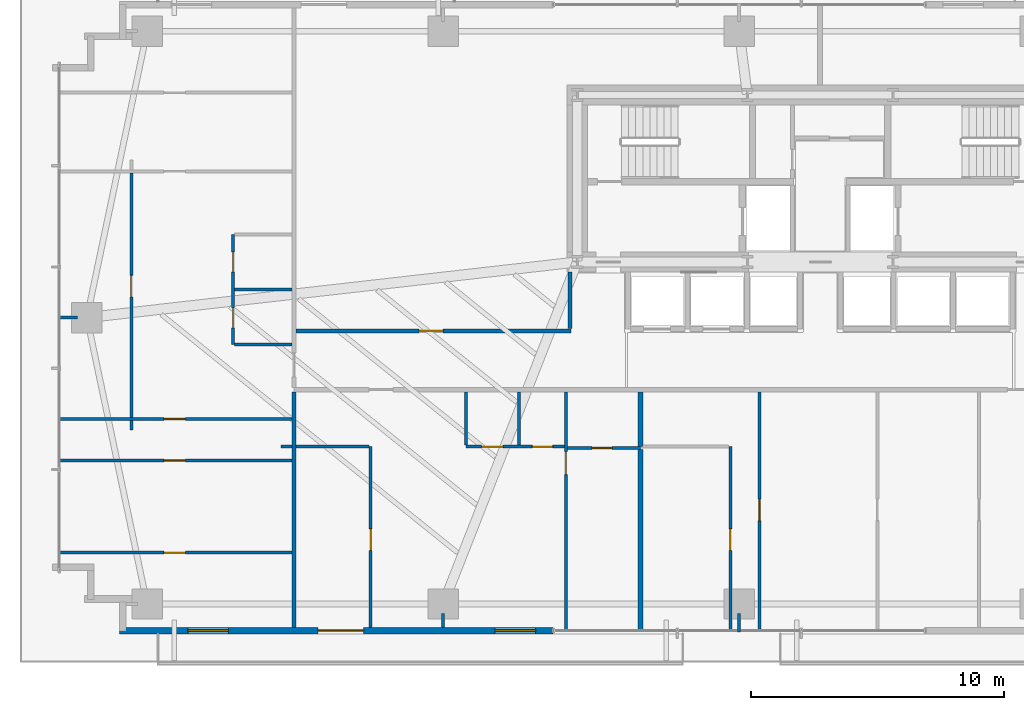
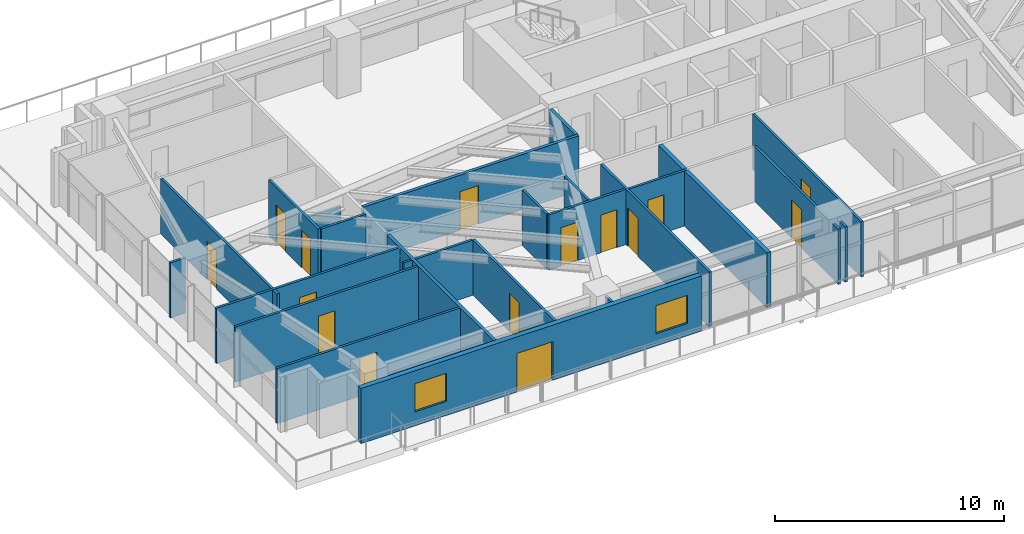
# One storey, part 19 of 26: 27 walls, 15 doors, 2 windows, 17 openings.
"""IFC4 building model written with IfcOpenShell, lengths in metres."""

from ifc_helpers import new_model, si_unit, direction, frame, frame_2d, origin, place, context, subcontext, project, spatial, rectangle, extrude, source, transform, mapped, material, layer, layer_set, type_object, type_shapes, element, fill, save


model = new_model("IFC4")

# Units and contexts
model_context = context("Model", 3, precision=1e-05, world=origin(), true_north=direction((0.0, 1.0)))
body_context = subcontext(model_context, "Body", "Model", "MODEL_VIEW")
ifc_project = project(units=[si_unit("LENGTHUNIT", "METRE"), si_unit("AREAUNIT", "SQUARE_METRE"), si_unit("VOLUMEUNIT", "CUBIC_METRE"), si_unit("PLANEANGLEUNIT", "RADIAN"), si_unit("MASSUNIT", "GRAM", prefix="KILO")], contexts=[model_context])

# Site, building, storey
site_placement = place(None, origin())
site = spatial("IfcSite", under=ifc_project, at=site_placement, CompositionType="ELEMENT")
building_placement = place(site_placement, origin())
building = spatial("IfcBuilding", under=site, at=building_placement, Name="Astriad Promenade Condominiums", CompositionType="ELEMENT")
storey_placement = place(building_placement, frame((0.0, 0.0, 23.0)))
storey = spatial("IfcBuildingStorey", under=building, at=storey_placement, Name="L05", CompositionType="ELEMENT", Elevation=23.0)

# Wall
ifc_material_1 = material(Name="Fire-Rated Gypsum Partition")
ifc_layer_1 = layer(ifc_material_1, 0.159912109375)
ifc_layer_set_1 = layer_set([ifc_layer_1], Name="Fire-Rated Gypsum Partition")
wall_type_1 = type_object("IfcWallType", Name="WALL-CORR-160", PredefinedType="PARTITIONING", material=ifc_layer_set_1)
wall_1_placement = place(storey_placement, frame((15.199951171875, 2.9619140625, 0.0), z_axis=(0.0, 0.0, 1.0), x_axis=(0.0, 1.0, 0.0)))
element("IfcWall", 1, at=wall_1_placement, inside=storey, type_object=wall_type_1, Name="PT-COR-W-L05", PredefinedType="PARTITIONING", context=body_context, shape_type="SweptSolid", body=[
    extrude(rectangle(XDim=9.30615234375, YDim=0.159912109375, at=frame_2d((4.653076171875, 0.0))), origin(), (0.0, 0.0, 1.0), 2.93994140625),
])

# Wall, opening, door
wall_2_placement = place(storey_placement, frame((15.281982421875, 14.679931640625, 0.0), z_axis=(0.0, 0.0, 1.0), x_axis=(1.0, 0.0, 0.0)))
wall_2 = element("IfcWall", 2, at=wall_2_placement, inside=storey, type_object=wall_type_1, Name="PT-FLK-NW-L05", PredefinedType="PARTITIONING", context=body_context, shape_type="SweptSolid", body=[
    extrude(rectangle(XDim=10.8779296875, YDim=0.159912109375, at=frame_2d((5.43896484375, 0.0))), origin(), (0.0, 0.0, 1.0), 2.93994140625),
])
opening_1_placement = place(wall_2_placement, frame((4.863037109375, 0.0, 0.0)))
opening_1 = element("IfcOpeningElement", 3, at=opening_1_placement, cuts=wall_2, Name="Opening FD60-APT-095", PredefinedType="OPENING", context=body_context, shape_type="SweptSolid", body=[
    extrude(rectangle(XDim=0.949951171875, YDim=2.06005859375, at=frame_2d((0.47509765625, 1.030029296875))), frame((0.0, 0.08984375, 0.0), z_axis=(0.0, -1.0, 0.0), x_axis=(1.0, 0.0, 0.0)), (0.0, 0.0, 1.0), 0.179931640625),
])
ifc_material_2 = material(Name="Solid-Core Acoustic Timber Residence Entry Door", Category="wood")
door_type_1 = type_object("IfcDoorType", Name="FD60-APT-095", OperationType="NOTDEFINED", PredefinedType="DOOR", material=ifc_material_2)
shared_shape_1 = source(origin(), body_context, "Body", "SweptSolid", [
    extrude(rectangle(XDim=0.949951171875, YDim=2.06005859375, at=frame_2d((0.47509765625, 1.030029296875))), frame((0.0, 0.02490234375, 0.0), z_axis=(0.0, -1.0, 0.0), x_axis=(1.0, 0.0, 0.0)), (0.0, 0.0, 1.0), 0.050048828125),
])
type_shapes(door_type_1, [shared_shape_1])
door_1_placement = place(opening_1_placement, origin())
door_1 = element("IfcDoor", 4, at=door_1_placement, inside=storey, type_object=door_type_1, Name="D-NWA-L05", OperationType="SINGLE_SWING_LEFT", OverallHeight=2.06005859375, OverallWidth=0.949951171875, PredefinedType="DOOR", context=body_context, shape_type="MappedRepresentation", body=[
    mapped(shared_shape_1, transform((0.0, 0.0, 0.0), scale=1.0)),
])
fill(opening_1, door_1)

# Walls
wall_3_placement = place(storey_placement, frame((26.1201171875, 14.761962890625, 0.0), z_axis=(0.0, 0.0, 1.0), x_axis=(0.0, 1.0, 0.0)))
element("IfcWall", 5, at=wall_3_placement, inside=storey, type_object=wall_type_1, Name="PT-WSPUR-W-L05", PredefinedType="PARTITIONING", context=body_context, shape_type="SweptSolid", body=[
    extrude(rectangle(XDim=2.236083984375, YDim=0.159912109375, at=frame_2d((1.1181640625, 0.0))), origin(), (0.0, 0.0, 1.0), 2.93994140625),
])
ifc_material_3 = material(Name="Acoustic Double-Stud Gypsum Partition")
ifc_layer_2 = layer(ifc_material_3, 0.199951171875)
ifc_layer_set_2 = layer_set([ifc_layer_2], Name="Acoustic Double-Stud Gypsum Partition")
wall_type_2 = type_object("IfcWallType", Name="WALL-DEMISING-200", PredefinedType="PARTITIONING", material=ifc_layer_set_2)
wall_4_placement = place(storey_placement, frame((28.89794921875, 2.780029296875, 0.0), z_axis=(0.0, 0.0, 1.0), x_axis=(0.0, 1.0, 0.0)))
element("IfcWall", 6, at=wall_4_placement, inside=storey, type_object=wall_type_2, Name="PT-DEM-S1-L05", PredefinedType="PARTITIONING", context=body_context, shape_type="SweptSolid", body=[
    extrude(rectangle(XDim=7.2080078125, YDim=0.199951171875, at=frame_2d((3.60400390625, 0.0))), origin(), (0.0, 0.0, 1.0), 2.93994140625),
])
wall_5_placement = place(storey_placement, frame((28.89794921875, 10.112060546875, 0.0), z_axis=(0.0, 0.0, 1.0), x_axis=(0.0, 1.0, 0.0)))
element("IfcWall", 7, at=wall_5_placement, inside=storey, type_object=wall_type_2, Name="PT-DEM-S1-L05-S2", PredefinedType="PARTITIONING", context=body_context, shape_type="SweptSolid", body=[
    extrude(rectangle(XDim=2.156005859375, YDim=0.199951171875, at=frame_2d((1.078125, 0.0))), origin(), (0.0, 0.0, 1.0), 2.93994140625),
])

# Wall, openings, door, windows
ifc_material_4 = material(Name="Precast concrete C50/60", Category="concrete")
ifc_layer_3 = layer(ifc_material_4, 0.260009765625)
ifc_layer_set_3 = layer_set([ifc_layer_3], Name="Precast concrete C50/60")
wall_type_3 = type_object("IfcWallType", Name="WALL-EXT-TWR-260", PredefinedType="STANDARD", material=ifc_layer_set_3)
wall_6_placement = place(storey_placement, frame((25.449951171875, 2.830078125, 0.0), z_axis=(0.0, 0.0, 1.0), x_axis=(-1.0, 0.0, 0.0)))
wall_6 = element("IfcWall", 8, at=wall_6_placement, inside=storey, type_object=wall_type_3, Name="W-EXT-L05-S2", PredefinedType="STANDARD", context=body_context, shape_type="SweptSolid", body=[
    extrude(rectangle(XDim=17.14990234375, YDim=0.260009765625, at=frame_2d((8.574951171875, 0.0))), origin(), (0.0, 0.0, 1.0), 2.93994140625),
])
opening_2_placement = place(wall_6_placement, frame((7.489990234375, 0.0, 0.0)))
opening_2 = element("IfcOpeningElement", 9, at=opening_2_placement, cuts=wall_6, Name="Opening BD-1822-SLD", PredefinedType="OPENING", context=body_context, shape_type="SweptSolid", body=[
    extrude(rectangle(XDim=1.800048828125, YDim=2.06005859375, at=frame_2d((0.89990234375, 1.030029296875))), frame((0.0, 0.139892578125, 0.0), z_axis=(0.0, -1.0, 0.0), x_axis=(1.0, 0.0, 0.0)), (0.0, 0.0, 1.0), 0.280029296875),
])
opening_3_placement = place(wall_6_placement, frame((0.699951171875, 0.0, 0.64990234375)))
opening_3 = element("IfcOpeningElement", 10, at=opening_3_placement, cuts=wall_6, Name="Opening WIN-TWR-1620", PredefinedType="OPENING", context=body_context, shape_type="SweptSolid", body=[
    extrude(rectangle(XDim=1.60009765625, YDim=1.5, at=frame_2d((0.800048828125, 0.75))), frame((0.0, 0.139892578125, 0.0), z_axis=(0.0, -1.0, 0.0), x_axis=(1.0, 0.0, 0.0)), (0.0, 0.0, 1.0), 0.280029296875),
])
opening_4_placement = place(wall_6_placement, frame((12.840087890625, 0.0, 0.75)))
opening_4 = element("IfcOpeningElement", 11, at=opening_4_placement, cuts=wall_6, Name="Opening WIN-TWR-1620", PredefinedType="OPENING", context=body_context, shape_type="SweptSolid", body=[
    extrude(rectangle(XDim=1.60009765625, YDim=1.5, at=frame_2d((0.800048828125, 0.75))), frame((0.0, 0.139892578125, 0.0), z_axis=(0.0, -1.0, 0.0), x_axis=(1.0, 0.0, 0.0)), (0.0, 0.0, 1.0), 0.280029296875),
])
ifc_material_5 = material(Name="Thermally Broken Aluminium Sliding Balcony Door", Category="aluminium")
door_type_2 = type_object("IfcDoorType", Name="BD-1822-SLD", OperationType="NOTDEFINED", PredefinedType="DOOR", material=ifc_material_5)
shared_shape_2 = source(origin(), body_context, "Body", "SweptSolid", [
    extrude(rectangle(XDim=1.800048828125, YDim=2.06005859375, at=frame_2d((0.89990234375, 1.030029296875))), frame((0.0, 0.02490234375, 0.0), z_axis=(0.0, -1.0, 0.0), x_axis=(1.0, 0.0, 0.0)), (0.0, 0.0, 1.0), 0.050048828125),
])
type_shapes(door_type_2, [shared_shape_2])
door_2_placement = place(opening_2_placement, origin())
door_2 = element("IfcDoor", 12, at=door_2_placement, inside=storey, type_object=door_type_2, Name="BD-L05-SW", OperationType="SLIDING_TO_LEFT", OverallHeight=2.06005859375, OverallWidth=1.800048828125, PredefinedType="DOOR", context=body_context, shape_type="MappedRepresentation", body=[
    mapped(shared_shape_2, transform((0.0, 0.0, 0.0), scale=1.0)),
])
fill(opening_2, door_2)
ifc_material_6 = material(Name="Dark Tinted Triple-Glazed Aluminium Window", Category="aluminium")
window_type = type_object("IfcWindowType", Name="WIN-TWR-1620", PartitioningType="SINGLE_PANEL", PredefinedType="WINDOW", material=ifc_material_6)
shared_shape_3 = source(origin(), body_context, "Body", "SweptSolid", [
    extrude(rectangle(XDim=1.60009765625, YDim=1.5, at=frame_2d((0.800048828125, 0.75))), frame((0.0, 0.030029296875, 0.0), z_axis=(0.0, -1.0, 0.0), x_axis=(1.0, 0.0, 0.0)), (0.0, 0.0, 1.0), 0.06005859375),
])
type_shapes(window_type, [shared_shape_3])
window_1_placement = place(opening_3_placement, origin())
window_1 = element("IfcWindow", 13, at=window_1_placement, inside=storey, type_object=window_type, Name="WIN-L05-SW", OverallHeight=1.5, OverallWidth=1.60009765625, PartitioningType="SINGLE_PANEL", PredefinedType="WINDOW", context=body_context, shape_type="MappedRepresentation", body=[
    mapped(shared_shape_3, transform((0.0, 0.0, 0.0), scale=1.0)),
])
fill(opening_3, window_1)
window_2_placement = place(opening_4_placement, origin())
window_2 = element("IfcWindow", 14, at=window_2_placement, inside=storey, type_object=window_type, Name="WIN-DW-L05-W1-BD2", OverallHeight=1.5, OverallWidth=1.60009765625, PartitioningType="SINGLE_PANEL", PredefinedType="WINDOW", context=body_context, shape_type="MappedRepresentation", body=[
    mapped(shared_shape_3, transform((0.0, 0.0, 0.0), scale=1.0)),
])
fill(opening_4, window_2)

# Wall, opening, door
ifc_material_7 = material(Name="Acoustic Metal-Stud Gypsum Partition")
ifc_layer_4 = layer(ifc_material_7, 0.1201171875)
ifc_layer_set_4 = layer_set([ifc_layer_4], Name="Acoustic Metal-Stud Gypsum Partition")
wall_type_4 = type_object("IfcWallType", Name="WALL-PART-120", PredefinedType="PARTITIONING", material=ifc_layer_set_4)
wall_7_placement = place(storey_placement, frame((25.947998046875, 2.780029296875, 0.0), z_axis=(0.0, 0.0, 1.0), x_axis=(0.0, 1.0, 0.0)))
wall_7 = element("IfcWall", 15, at=wall_7_placement, inside=storey, type_object=wall_type_4, Name="PT-L05-S1-BD1", PredefinedType="PARTITIONING", context=body_context, shape_type="SweptSolid", body=[
    extrude(rectangle(XDim=9.488037109375, YDim=0.1201171875, at=frame_2d((4.744140625, 0.0))), origin(), (0.0, 0.0, 1.0), 2.93994140625),
])
opening_5_placement = place(wall_7_placement, frame((6.219970703125, 0.0, 0.0)))
opening_5 = element("IfcOpeningElement", 16, at=opening_5_placement, cuts=wall_7, Name="Opening D-INT-090", PredefinedType="OPENING", context=body_context, shape_type="SweptSolid", body=[
    extrude(rectangle(XDim=0.89990234375, YDim=2.050048828125, at=frame_2d((0.449951171875, 1.02490234375))), frame((0.0, 0.070068359375, 0.0), z_axis=(0.0, -1.0, 0.0), x_axis=(1.0, 0.0, 0.0)), (0.0, 0.0, 1.0), 0.14013671875),
])
ifc_material_8 = material(Name="Painted Solid-Core Timber Bedroom Door", Category="wood")
door_type_3 = type_object("IfcDoorType", Name="D-INT-090", OperationType="NOTDEFINED", PredefinedType="DOOR", material=ifc_material_8)
shared_shape_4 = source(origin(), body_context, "Body", "SweptSolid", [
    extrude(rectangle(XDim=0.89990234375, YDim=2.050048828125, at=frame_2d((0.449951171875, 1.02490234375))), frame((0.0, 0.02490234375, 0.0), z_axis=(0.0, -1.0, 0.0), x_axis=(1.0, 0.0, 0.0)), (0.0, 0.0, 1.0), 0.050048828125),
])
type_shapes(door_type_3, [shared_shape_4])
door_3_placement = place(opening_5_placement, origin())
door_3 = element("IfcDoor", 17, at=door_3_placement, inside=storey, type_object=door_type_3, Name="D-BD1-L05-S1", OperationType="SINGLE_SWING_RIGHT", OverallHeight=2.050048828125, OverallWidth=0.89990234375, PredefinedType="DOOR", context=body_context, shape_type="MappedRepresentation", body=[
    mapped(shared_shape_4, transform((0.0, 0.0, 0.0), scale=1.0)),
])
fill(opening_5, door_3)

# Wall, openings, doors
wall_8_placement = place(storey_placement, frame((21.998046875, 10.10009765625, 0.0), z_axis=(0.0, 0.0, 1.0), x_axis=(1.0, 0.0, 0.0)))
wall_8 = element("IfcWall", 18, at=wall_8_placement, inside=storey, type_object=wall_type_4, Name="PT-L05-S1-PS", PredefinedType="PARTITIONING", context=body_context, shape_type="SweptSolid", body=[
    extrude(rectangle(XDim=3.887939453125, YDim=0.1201171875, at=frame_2d((1.94384765625, 0.0))), origin(), (0.0, 0.0, 1.0), 2.93994140625),
])
opening_6_placement = place(wall_8_placement, frame((0.625, 0.0, 0.0)))
opening_6 = element("IfcOpeningElement", 19, at=opening_6_placement, cuts=wall_8, Name="Opening D-INT-085", PredefinedType="OPENING", context=body_context, shape_type="SweptSolid", body=[
    extrude(rectangle(XDim=0.85009765625, YDim=2.050048828125, at=frame_2d((0.425048828125, 1.02490234375))), frame((0.0, 0.070068359375, 0.0), z_axis=(0.0, -1.0, 0.0), x_axis=(1.0, 0.0, 0.0)), (0.0, 0.0, 1.0), 0.14013671875),
])
opening_7_placement = place(wall_8_placement, frame((2.625, 0.0, 0.0)))
opening_7 = element("IfcOpeningElement", 20, at=opening_7_placement, cuts=wall_8, Name="Opening D-WET-080", PredefinedType="OPENING", context=body_context, shape_type="SweptSolid", body=[
    extrude(rectangle(XDim=0.800048828125, YDim=2.02001953125, at=frame_2d((0.39990234375, 1.010009765625))), frame((0.0, 0.070068359375, 0.0), z_axis=(0.0, -1.0, 0.0), x_axis=(1.0, 0.0, 0.0)), (0.0, 0.0, 1.0), 0.14013671875),
])
ifc_material_9 = material(Name="Moisture-Resistant Timber Bathroom Door", Category="wood")
door_type_4 = type_object("IfcDoorType", Name="D-WET-080", OperationType="NOTDEFINED", PredefinedType="DOOR", material=ifc_material_9)
shared_shape_5 = source(origin(), body_context, "Body", "SweptSolid", [
    extrude(rectangle(XDim=0.800048828125, YDim=2.02001953125, at=frame_2d((0.39990234375, 1.010009765625))), frame((0.0, 0.02490234375, 0.0), z_axis=(0.0, -1.0, 0.0), x_axis=(1.0, 0.0, 0.0)), (0.0, 0.0, 1.0), 0.050048828125),
])
type_shapes(door_type_4, [shared_shape_5])
door_4_placement = place(opening_7_placement, origin())
door_4 = element("IfcDoor", 21, at=door_4_placement, inside=storey, type_object=door_type_4, Name="D-BTH-L05-S1", OperationType="SINGLE_SWING_RIGHT", OverallHeight=2.02001953125, OverallWidth=0.800048828125, PredefinedType="DOOR", context=body_context, shape_type="MappedRepresentation", body=[
    mapped(shared_shape_5, transform((0.0, 0.0, 0.0), scale=1.0)),
])
fill(opening_7, door_4)
ifc_material_10 = material(Name="Painted Solid-Core Timber Room Door", Category="wood")
door_type_5 = type_object("IfcDoorType", Name="D-INT-085", OperationType="NOTDEFINED", PredefinedType="DOOR", material=ifc_material_10)
shared_shape_6 = source(origin(), body_context, "Body", "SweptSolid", [
    extrude(rectangle(XDim=0.85009765625, YDim=2.050048828125, at=frame_2d((0.425048828125, 1.02490234375))), frame((0.0, 0.02490234375, 0.0), z_axis=(0.0, -1.0, 0.0), x_axis=(1.0, 0.0, 0.0)), (0.0, 0.0, 1.0), 0.050048828125),
])
type_shapes(door_type_5, [shared_shape_6])
door_5_placement = place(opening_6_placement, origin())
door_5 = element("IfcDoor", 22, at=door_5_placement, inside=storey, type_object=door_type_5, Name="D-KIT-L05-S1", OperationType="SINGLE_SWING_LEFT", OverallHeight=2.050048828125, OverallWidth=0.85009765625, PredefinedType="DOOR", context=body_context, shape_type="MappedRepresentation", body=[
    mapped(shared_shape_6, transform((0.0, 0.0, 0.0), scale=1.0)),
])
fill(opening_6, door_5)

# Walls
for number, where, z_axis, x_axis, name in (
    (23, (24.097900390625, 10.162109375, 0.0), (0.0, 0.0, 1.0), (0.0, 1.0, 0.0), "PT-L05-S1-PBK"),
    (24, (21.998046875, 10.162109375, 0.0), (0.0, 0.0, 1.0), (0.0, 1.0, 0.0), "PT-L05-S1-PKW"),
):
    element("IfcWall", number, at=place(storey_placement, frame(where, z_axis=z_axis, x_axis=x_axis)), inside=storey, type_object=wall_type_4, Name=name, PredefinedType="PARTITIONING", context=body_context, shape_type="SweptSolid", body=[
        extrude(rectangle(XDim=2.10595703125, YDim=0.1201171875, at=frame_2d((1.052978515625, 0.0))), origin(), (0.0, 0.0, 1.0), 2.93994140625),
    ])

# Wall, opening, door
wall_9_placement = place(storey_placement, frame((26.010009765625, 10.050048828125, 0.0), z_axis=(0.0, 0.0, 1.0), x_axis=(1.0, 0.0, 0.0)))
wall_9 = element("IfcWall", 25, at=wall_9_placement, inside=storey, type_object=wall_type_4, Name="PT-L05-S1-ENS", PredefinedType="PARTITIONING", context=body_context, shape_type="SweptSolid", body=[
    extrude(rectangle(XDim=2.887939453125, YDim=0.1201171875, at=frame_2d((1.44384765625, 0.0))), origin(), (0.0, 0.0, 1.0), 2.93994140625),
])
opening_8_placement = place(wall_9_placement, frame((0.962890625, 0.0, 0.0)))
opening_8 = element("IfcOpeningElement", 26, at=opening_8_placement, cuts=wall_9, Name="Opening D-WET-080", PredefinedType="OPENING", context=body_context, shape_type="SweptSolid", body=[
    extrude(rectangle(XDim=0.800048828125, YDim=2.02001953125, at=frame_2d((0.39990234375, 1.010009765625))), frame((0.0, 0.070068359375, 0.0), z_axis=(0.0, -1.0, 0.0), x_axis=(1.0, 0.0, 0.0)), (0.0, 0.0, 1.0), 0.14013671875),
])
door_6_placement = place(opening_8_placement, origin())
door_6 = element("IfcDoor", 27, at=door_6_placement, inside=storey, type_object=door_type_4, Name="D-ENS-L05-S1", OperationType="SINGLE_SWING_LEFT", OverallHeight=2.02001953125, OverallWidth=0.800048828125, PredefinedType="DOOR", context=body_context, shape_type="MappedRepresentation", body=[
    mapped(shared_shape_5, transform((0.0, 0.0, 0.0), scale=1.0)),
])
fill(opening_8, door_6)

wall_10_placement = place(storey_placement, frame((18.236083984375, 2.9619140625, 0.0), z_axis=(0.0, 0.0, 1.0), x_axis=(0.0, 1.0, 0.0)))
wall_10 = element("IfcWall", 28, at=wall_10_placement, inside=storey, type_object=wall_type_4, Name="PT-L05-S1-EXV", PredefinedType="PARTITIONING", context=body_context, shape_type="SweptSolid", body=[
    extrude(rectangle(XDim=7.13818359375, YDim=0.1201171875, at=frame_2d((3.569091796875, 0.0))), origin(), (0.0, 0.0, 1.0), 2.93994140625),
])
opening_9_placement = place(wall_10_placement, frame((3.04296875, 0.0, 0.0)))
opening_9 = element("IfcOpeningElement", 29, at=opening_9_placement, cuts=wall_10, Name="Opening D-INT-085", PredefinedType="OPENING", context=body_context, shape_type="SweptSolid", body=[
    extrude(rectangle(XDim=0.85009765625, YDim=2.050048828125, at=frame_2d((0.425048828125, 1.02490234375))), frame((0.0, 0.070068359375, 0.0), z_axis=(0.0, -1.0, 0.0), x_axis=(1.0, 0.0, 0.0)), (0.0, 0.0, 1.0), 0.14013671875),
])
door_7_placement = place(opening_9_placement, origin())
door_7 = element("IfcDoor", 30, at=door_7_placement, inside=storey, type_object=door_type_5, Name="D-EX-L05-S1", OperationType="SINGLE_SWING_RIGHT", OverallHeight=2.050048828125, OverallWidth=0.85009765625, PredefinedType="DOOR", context=body_context, shape_type="MappedRepresentation", body=[
    mapped(shared_shape_6, transform((0.0, 0.0, 0.0), scale=1.0)),
])
fill(opening_9, door_7)

# Walls
wall_11_placement = place(storey_placement, frame((14.699951171875, 10.10009765625, 0.0), z_axis=(0.0, 0.0, 1.0), x_axis=(1.0, 0.0, 0.0)))
element("IfcWall", 31, at=wall_11_placement, inside=storey, type_object=wall_type_4, Name="PT-L05-S1-EXH", PredefinedType="PARTITIONING", context=body_context, shape_type="SweptSolid", body=[
    extrude(rectangle(XDim=0.41796875, YDim=0.1201171875, at=frame_2d((0.208984375, 0.0))), origin(), (0.0, 0.0, 1.0), 2.93994140625),
])
wall_12_placement = place(storey_placement, frame((15.281982421875, 10.10009765625, 0.0), z_axis=(0.0, 0.0, 1.0), x_axis=(1.0, 0.0, 0.0)))
element("IfcWall", 32, at=wall_12_placement, inside=storey, type_object=wall_type_4, Name="PT-L05-S1-EXH-S2", PredefinedType="PARTITIONING", context=body_context, shape_type="SweptSolid", body=[
    extrude(rectangle(XDim=2.89208984375, YDim=0.1201171875, at=frame_2d((1.446044921875, 0.0))), origin(), (0.0, 0.0, 1.0), 2.93994140625),
])

# Wall, opening, door
wall_13_placement = place(storey_placement, frame((32.447998046875, 2.780029296875, 0.0), z_axis=(0.0, 0.0, 1.0), x_axis=(0.0, 1.0, 0.0)))
wall_13 = element("IfcWall", 33, at=wall_13_placement, inside=storey, type_object=wall_type_4, Name="PT-L05-S2-EXV", PredefinedType="PARTITIONING", context=body_context, shape_type="SweptSolid", body=[
    extrude(rectangle(XDim=7.320068359375, YDim=0.1201171875, at=frame_2d((3.66015625, 0.0))), origin(), (0.0, 0.0, 1.0), 2.93994140625),
])
opening_10_placement = place(wall_13_placement, frame((3.22509765625, 0.0, 0.0)))
opening_10 = element("IfcOpeningElement", 34, at=opening_10_placement, cuts=wall_13, Name="Opening D-INT-085", PredefinedType="OPENING", context=body_context, shape_type="SweptSolid", body=[
    extrude(rectangle(XDim=0.85009765625, YDim=2.050048828125, at=frame_2d((0.425048828125, 1.02490234375))), frame((0.0, 0.070068359375, 0.0), z_axis=(0.0, -1.0, 0.0), x_axis=(1.0, 0.0, 0.0)), (0.0, 0.0, 1.0), 0.14013671875),
])
door_8_placement = place(opening_10_placement, origin())
door_8 = element("IfcDoor", 35, at=door_8_placement, inside=storey, type_object=door_type_5, Name="D-EX-L05-S2", OperationType="SINGLE_SWING_LEFT", OverallHeight=2.050048828125, OverallWidth=0.85009765625, PredefinedType="DOOR", context=body_context, shape_type="MappedRepresentation", body=[
    mapped(shared_shape_6, transform((0.0, 0.0, 0.0), scale=1.0)),
])
fill(opening_10, door_8)

wall_14_placement = place(storey_placement, frame((33.597900390625, 2.780029296875, 0.0), z_axis=(0.0, 0.0, 1.0), x_axis=(0.0, 1.0, 0.0)))
wall_14 = element("IfcWall", 36, at=wall_14_placement, inside=storey, type_object=wall_type_4, Name="PT-L05-S2-CAP1", PredefinedType="PARTITIONING", context=body_context, shape_type="SweptSolid", body=[
    extrude(rectangle(XDim=9.488037109375, YDim=0.1201171875, at=frame_2d((4.744140625, 0.0))), origin(), (0.0, 0.0, 1.0), 2.93994140625),
])
opening_11_placement = place(wall_14_placement, frame((4.39990234375, 0.0, 0.0)))
opening_11 = element("IfcOpeningElement", 37, at=opening_11_placement, cuts=wall_14, Name="Opening D-INT-085", PredefinedType="OPENING", context=body_context, shape_type="SweptSolid", body=[
    extrude(rectangle(XDim=0.85009765625, YDim=2.050048828125, at=frame_2d((0.425048828125, 1.02490234375))), frame((0.0, 0.070068359375, 0.0), z_axis=(0.0, -1.0, 0.0), x_axis=(1.0, 0.0, 0.0)), (0.0, 0.0, 1.0), 0.14013671875),
])
door_9_placement = place(opening_11_placement, origin())
door_9 = element("IfcDoor", 38, at=door_9_placement, inside=storey, type_object=door_type_5, Name="D-CAP1-L05-S2", OperationType="SINGLE_SWING_RIGHT", OverallHeight=2.050048828125, OverallWidth=0.85009765625, PredefinedType="DOOR", context=body_context, shape_type="MappedRepresentation", body=[
    mapped(shared_shape_6, transform((0.0, 0.0, 0.0), scale=1.0)),
])
fill(opening_11, door_9)

# Wall, openings, doors
wall_15_placement = place(storey_placement, frame((12.800048828125, 14.135986328125, 0.0), z_axis=(0.0, 0.0, 1.0), x_axis=(0.0, 1.0, 0.0)))
wall_15 = element("IfcWall", 39, at=wall_15_placement, inside=storey, type_object=wall_type_4, Name="PT-L05-W1-PV", PredefinedType="PARTITIONING", context=body_context, shape_type="SweptSolid", body=[
    extrude(rectangle(XDim=4.35009765625, YDim=0.1201171875, at=frame_2d((2.175048828125, 0.0))), origin(), (0.0, 0.0, 1.0), 2.93994140625),
])
opening_12_placement = place(wall_15_placement, frame((0.662109375, 0.0, 0.0)))
opening_12 = element("IfcOpeningElement", 40, at=opening_12_placement, cuts=wall_15, Name="Opening D-ULOW-080", PredefinedType="OPENING", context=body_context, shape_type="SweptSolid", body=[
    extrude(rectangle(XDim=0.800048828125, YDim=2.0, at=frame_2d((0.39990234375, 1.0))), frame((0.0, 0.070068359375, 0.0), z_axis=(0.0, -1.0, 0.0), x_axis=(1.0, 0.0, 0.0)), (0.0, 0.0, 1.0), 0.14013671875),
])
opening_13_placement = place(wall_15_placement, frame((2.862060546875, 0.0, 0.0)))
opening_13 = element("IfcOpeningElement", 41, at=opening_13_placement, cuts=wall_15, Name="Opening D-WET-080", PredefinedType="OPENING", context=body_context, shape_type="SweptSolid", body=[
    extrude(rectangle(XDim=0.800048828125, YDim=2.02001953125, at=frame_2d((0.39990234375, 1.010009765625))), frame((0.0, 0.070068359375, 0.0), z_axis=(0.0, -1.0, 0.0), x_axis=(1.0, 0.0, 0.0)), (0.0, 0.0, 1.0), 0.14013671875),
])
door_10_placement = place(opening_13_placement, origin())
door_10 = element("IfcDoor", 42, at=door_10_placement, inside=storey, type_object=door_type_4, Name="D-BTH-L05-W1", OperationType="SINGLE_SWING_LEFT", OverallHeight=2.02001953125, OverallWidth=0.800048828125, PredefinedType="DOOR", context=body_context, shape_type="MappedRepresentation", body=[
    mapped(shared_shape_5, transform((0.0, 0.0, 0.0), scale=1.0)),
])
fill(opening_13, door_10)
ifc_material_11 = material(Name="Painted Timber Low-Headroom Door", Category="wood")
door_type_6 = type_object("IfcDoorType", Name="D-ULOW-080", OperationType="NOTDEFINED", PredefinedType="DOOR", material=ifc_material_11)
shared_shape_7 = source(origin(), body_context, "Body", "SweptSolid", [
    extrude(rectangle(XDim=0.800048828125, YDim=2.0, at=frame_2d((0.39990234375, 1.0))), frame((0.0, 0.02490234375, 0.0), z_axis=(0.0, -1.0, 0.0), x_axis=(1.0, 0.0, 0.0)), (0.0, 0.0, 1.0), 0.050048828125),
])
type_shapes(door_type_6, [shared_shape_7])
door_11_placement = place(opening_12_placement, origin())
door_11 = element("IfcDoor", 43, at=door_11_placement, inside=storey, type_object=door_type_6, Name="D-KIT-L05-W1", OperationType="SINGLE_SWING_RIGHT", OverallHeight=2.0, OverallWidth=0.800048828125, PredefinedType="DOOR", context=body_context, shape_type="MappedRepresentation", body=[
    mapped(shared_shape_7, transform((0.0, 0.0, 0.0), scale=1.0)),
])
fill(opening_12, door_11)

# Walls
wall_16_placement = place(storey_placement, frame((12.862060546875, 16.31103515625, 0.0), z_axis=(0.0, 0.0, 1.0), x_axis=(1.0, 0.0, 0.0)))
element("IfcWall", 44, at=wall_16_placement, inside=storey, type_object=wall_type_4, Name="PT-L05-W1-PM", PredefinedType="PARTITIONING", context=body_context, shape_type="SweptSolid", body=[
    extrude(rectangle(XDim=2.255859375, YDim=0.1201171875, at=frame_2d((1.1279296875, 0.0))), origin(), (0.0, 0.0, 1.0), 2.044921875),
])
wall_17_placement = place(storey_placement, frame((12.862060546875, 14.135986328125, 0.0), z_axis=(0.0, 0.0, 1.0), x_axis=(1.0, 0.0, 0.0)))
element("IfcWall", 45, at=wall_17_placement, inside=storey, type_object=wall_type_4, Name="PT-L05-W1-PS", PredefinedType="PARTITIONING", context=body_context, shape_type="SweptSolid", body=[
    extrude(rectangle(XDim=2.255859375, YDim=0.1201171875, at=frame_2d((1.1279296875, 0.0))), origin(), (0.0, 0.0, 1.0), 2.93994140625),
])

# Wall, opening, door
wall_18_placement = place(storey_placement, frame((5.8798828125, 5.909912109375, 0.0), z_axis=(0.0, 0.0, 1.0), x_axis=(1.0, 0.0, 0.0)))
wall_18 = element("IfcWall", 46, at=wall_18_placement, inside=storey, type_object=wall_type_4, Name="PT-L05-W1-B2", PredefinedType="PARTITIONING", context=body_context, shape_type="SweptSolid", body=[
    extrude(rectangle(XDim=9.238037109375, YDim=0.1201171875, at=frame_2d((4.619140625, 0.0))), origin(), (0.0, 0.0, 1.0), 2.93994140625),
])
opening_14_placement = place(wall_18_placement, frame((4.18505859375, 0.0, 0.0)))
opening_14 = element("IfcOpeningElement", 47, at=opening_14_placement, cuts=wall_18, Name="Opening D-INT-085", PredefinedType="OPENING", context=body_context, shape_type="SweptSolid", body=[
    extrude(rectangle(XDim=0.85009765625, YDim=2.050048828125, at=frame_2d((0.425048828125, 1.02490234375))), frame((0.0, 0.070068359375, 0.0), z_axis=(0.0, -1.0, 0.0), x_axis=(1.0, 0.0, 0.0)), (0.0, 0.0, 1.0), 0.14013671875),
])
door_12_placement = place(opening_14_placement, origin())
door_12 = element("IfcDoor", 48, at=door_12_placement, inside=storey, type_object=door_type_5, Name="D-BD2-L05-W1", OperationType="SINGLE_SWING_LEFT", OverallHeight=2.050048828125, OverallWidth=0.85009765625, PredefinedType="DOOR", context=body_context, shape_type="MappedRepresentation", body=[
    mapped(shared_shape_6, transform((0.0, 0.0, 0.0), scale=1.0)),
])
fill(opening_14, door_12)

wall_19_placement = place(storey_placement, frame((5.8798828125, 9.553955078125, 0.0), z_axis=(0.0, 0.0, 1.0), x_axis=(1.0, 0.0, 0.0)))
wall_19 = element("IfcWall", 49, at=wall_19_placement, inside=storey, type_object=wall_type_4, Name="PT-L05-W1-WDS1", PredefinedType="PARTITIONING", context=body_context, shape_type="SweptSolid", body=[
    extrude(rectangle(XDim=9.238037109375, YDim=0.1201171875, at=frame_2d((4.619140625, 0.0))), origin(), (0.0, 0.0, 1.0), 2.93994140625),
])
opening_15_placement = place(wall_19_placement, frame((4.18505859375, 0.0, 0.0)))
opening_15 = element("IfcOpeningElement", 50, at=opening_15_placement, cuts=wall_19, Name="Opening D-INT-085", PredefinedType="OPENING", context=body_context, shape_type="SweptSolid", body=[
    extrude(rectangle(XDim=0.85009765625, YDim=2.050048828125, at=frame_2d((0.425048828125, 1.02490234375))), frame((0.0, 0.070068359375, 0.0), z_axis=(0.0, -1.0, 0.0), x_axis=(1.0, 0.0, 0.0)), (0.0, 0.0, 1.0), 0.14013671875),
])
door_13_placement = place(opening_15_placement, origin())
door_13 = element("IfcDoor", 51, at=door_13_placement, inside=storey, type_object=door_type_5, Name="D-WDS1-L05-W1", OperationType="SINGLE_SWING_RIGHT", OverallHeight=2.050048828125, OverallWidth=0.85009765625, PredefinedType="DOOR", context=body_context, shape_type="MappedRepresentation", body=[
    mapped(shared_shape_6, transform((0.0, 0.0, 0.0), scale=1.0)),
])
fill(opening_15, door_13)

wall_20_placement = place(storey_placement, frame((5.8798828125, 11.194091796875, 0.0), z_axis=(0.0, 0.0, 1.0), x_axis=(1.0, 0.0, 0.0)))
wall_20 = element("IfcWall", 52, at=wall_20_placement, inside=storey, type_object=wall_type_4, Name="PT-L05-W1-WDS3", PredefinedType="PARTITIONING", context=body_context, shape_type="SweptSolid", body=[
    extrude(rectangle(XDim=9.238037109375, YDim=0.1201171875, at=frame_2d((4.619140625, 0.0))), origin(), (0.0, 0.0, 1.0), 2.93994140625),
])
opening_16_placement = place(wall_20_placement, frame((4.18505859375, 0.0, 0.0)))
opening_16 = element("IfcOpeningElement", 53, at=opening_16_placement, cuts=wall_20, Name="Opening D-INT-085", PredefinedType="OPENING", context=body_context, shape_type="SweptSolid", body=[
    extrude(rectangle(XDim=0.85009765625, YDim=2.050048828125, at=frame_2d((0.425048828125, 1.02490234375))), frame((0.0, 0.070068359375, 0.0), z_axis=(0.0, -1.0, 0.0), x_axis=(1.0, 0.0, 0.0)), (0.0, 0.0, 1.0), 0.14013671875),
])
door_14_placement = place(opening_16_placement, origin())
door_14 = element("IfcDoor", 54, at=door_14_placement, inside=storey, type_object=door_type_5, Name="D-WDS3-L05-W1", OperationType="SINGLE_SWING_RIGHT", OverallHeight=2.050048828125, OverallWidth=0.85009765625, PredefinedType="DOOR", context=body_context, shape_type="MappedRepresentation", body=[
    mapped(shared_shape_6, transform((0.0, 0.0, 0.0), scale=1.0)),
])
fill(opening_16, door_14)

# Wall
wall_21_placement = place(storey_placement, frame((8.77490234375, 10.75390625, 0.0), z_axis=(0.0, 0.0, 1.0), x_axis=(0.0, 1.0, 0.0)))
element("IfcWall", 55, at=wall_21_placement, inside=storey, type_object=wall_type_4, Name="PT-L05-W1-WDV4", PredefinedType="PARTITIONING", context=body_context, shape_type="SweptSolid", body=[
    extrude(rectangle(XDim=0.378173828125, YDim=0.1201171875, at=frame_2d((0.18896484375, 0.0))), origin(), (0.0, 0.0, 1.0), 2.93994140625),
])

# Wall, opening, door
wall_22_placement = place(storey_placement, frame((8.77490234375, 11.256103515625, 0.0), z_axis=(0.0, 0.0, 1.0), x_axis=(0.0, 1.0, 0.0)))
wall_22 = element("IfcWall", 56, at=wall_22_placement, inside=storey, type_object=wall_type_4, Name="PT-L05-W1-WDV4-S2", PredefinedType="PARTITIONING", context=body_context, shape_type="SweptSolid", body=[
    extrude(rectangle(XDim=9.662841796875, YDim=0.1201171875, at=frame_2d((4.83154296875, 0.0))), origin(), (0.0, 0.0, 1.0), 2.93994140625),
])
opening_17_placement = place(wall_22_placement, frame((4.76611328125, 0.0, 0.0)))
opening_17 = element("IfcOpeningElement", 57, at=opening_17_placement, cuts=wall_22, Name="Opening D-INT-085", PredefinedType="OPENING", context=body_context, shape_type="SweptSolid", body=[
    extrude(rectangle(XDim=0.85009765625, YDim=2.050048828125, at=frame_2d((0.425048828125, 1.02490234375))), frame((0.0, 0.070068359375, 0.0), z_axis=(0.0, -1.0, 0.0), x_axis=(1.0, 0.0, 0.0)), (0.0, 0.0, 1.0), 0.14013671875),
])
door_15_placement = place(opening_17_placement, origin())
door_15 = element("IfcDoor", 58, at=door_15_placement, inside=storey, type_object=door_type_5, Name="D-WDV4-L05-W1", OperationType="SINGLE_SWING_LEFT", OverallHeight=2.050048828125, OverallWidth=0.85009765625, PredefinedType="DOOR", context=body_context, shape_type="MappedRepresentation", body=[
    mapped(shared_shape_6, transform((0.0, 0.0, 0.0), scale=1.0)),
])
fill(opening_17, door_15)

# Walls
wall_23_placement = place(storey_placement, frame((21.10009765625, 3.5, 0.0), z_axis=(0.0, 0.0, 1.0), x_axis=(0.0, -1.0, 0.0)))
element("IfcWall", 59, at=wall_23_placement, inside=storey, type_object=wall_type_4, Name="PT-PIL-L05-PC02-9", PredefinedType="PARTITIONING", context=body_context, shape_type="SweptSolid", body=[
    extrude(rectangle(XDim=0.5380859375, YDim=0.1201171875, at=frame_2d((0.26904296875, 0.0))), origin(), (0.0, 0.0, 1.0), 2.93994140625),
])
wall_24_placement = place(storey_placement, frame((32.800048828125, 3.5, 0.0), z_axis=(0.0, 0.0, 1.0), x_axis=(0.0, -1.0, 0.0)))
element("IfcWall", 60, at=wall_24_placement, inside=storey, type_object=wall_type_4, Name="PT-PIL-L05-PC03-10", PredefinedType="PARTITIONING", context=body_context, shape_type="SweptSolid", body=[
    extrude(rectangle(XDim=0.719970703125, YDim=0.1201171875, at=frame_2d((0.35986328125, 0.0))), origin(), (0.0, 0.0, 1.0), 2.93994140625),
])
wall_25_placement = place(storey_placement, frame((6.639892578125, 15.199951171875, 0.0), z_axis=(0.0, 0.0, 1.0), x_axis=(-1.0, 0.0, 0.0)))
element("IfcWall", 61, at=wall_25_placement, inside=storey, type_object=wall_type_4, Name="PT-PIL-L05-PC11-18", PredefinedType="PARTITIONING", context=body_context, shape_type="SweptSolid", body=[
    extrude(rectangle(XDim=0.760009765625, YDim=0.1201171875, at=frame_2d((0.3798828125, 0.0))), origin(), (0.0, 0.0, 1.0), 2.93994140625),
])

save(model, "model.ifc")
